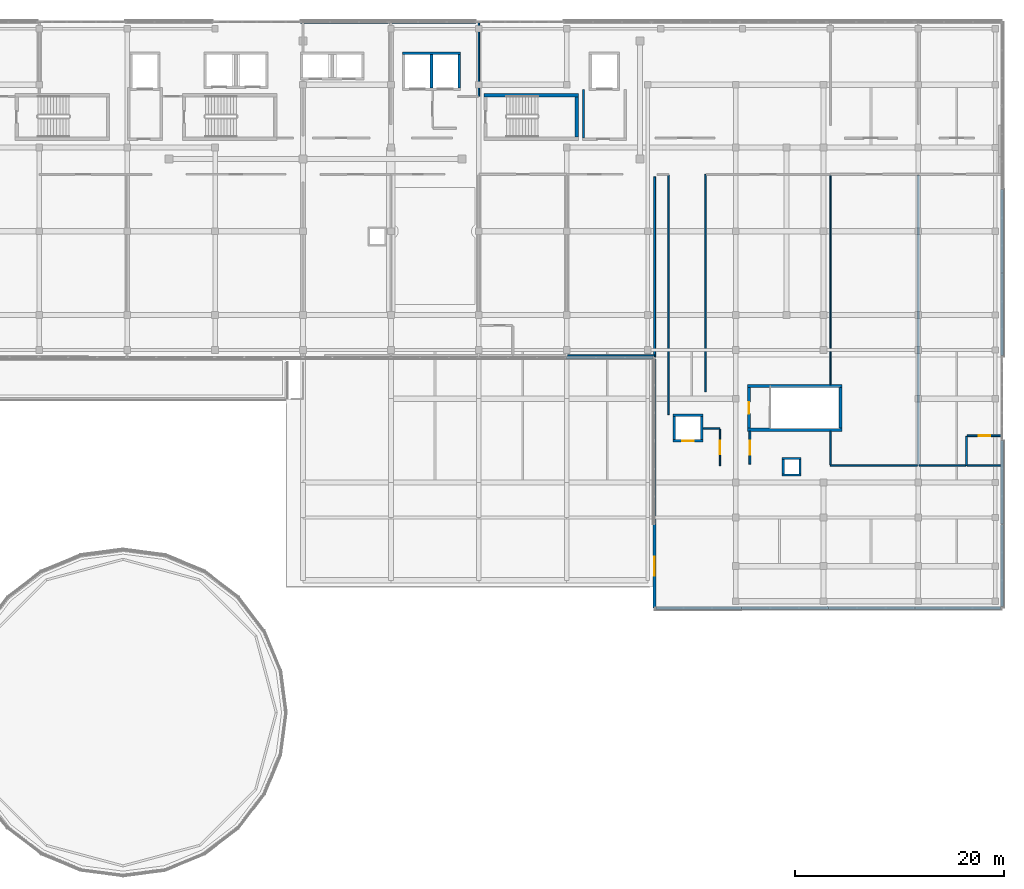
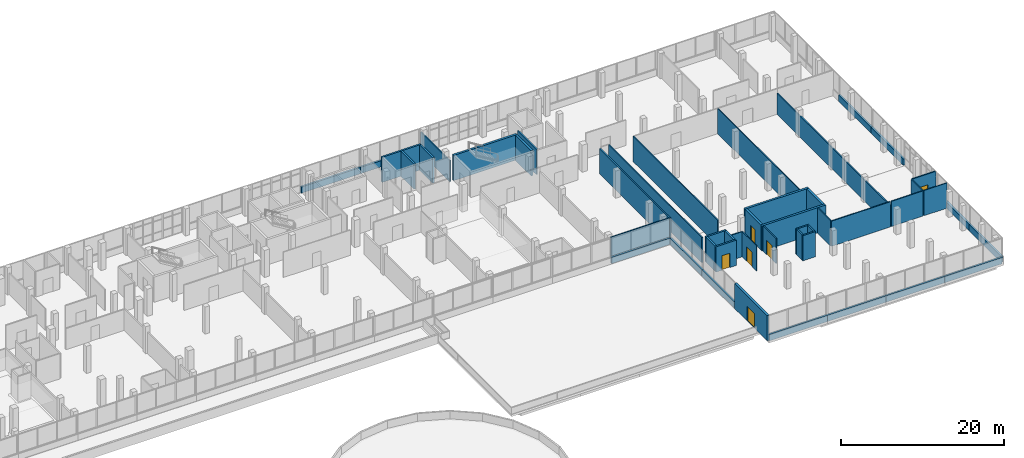
# One storey, part 70 of 78: 48 walls, 6 doors, 6 openings.
"""IFC4 building model written with IfcOpenShell, lengths in metres."""

from ifc_helpers import new_model, si_unit, direction, frame, frame_2d, origin, place, context, subcontext, project, spatial, rectangle, extrude, material, layer, layer_set, type_object, element, fill, save


model = new_model("IFC4")

# Units and contexts
model_context = context("Model", 3, precision=1e-05, world=origin(), true_north=direction((0.0, 1.0)))
body_context = subcontext(model_context, "Body", "Model", "MODEL_VIEW")
ifc_project = project(units=[si_unit("LENGTHUNIT", "METRE"), si_unit("AREAUNIT", "SQUARE_METRE"), si_unit("VOLUMEUNIT", "CUBIC_METRE"), si_unit("PLANEANGLEUNIT", "RADIAN"), si_unit("MASSUNIT", "GRAM", prefix="KILO")], contexts=[model_context])

# Site, building, storey
site_placement = place(None, origin())
site = spatial("IfcSite", under=ifc_project, at=site_placement, CompositionType="ELEMENT")
building_placement = place(site_placement, origin())
building = spatial("IfcBuilding", under=site, at=building_placement, Name="Selatvlak General Hospital", CompositionType="ELEMENT")
storey_placement = place(building_placement, frame((0.0, 0.0, 23.25)))
storey = spatial("IfcBuildingStorey", under=building, at=storey_placement, Name="L05", CompositionType="ELEMENT", Elevation=23.25)

# Wall, opening, door
ifc_material_1 = material(Name="Precast concrete C40/50 - white fair-faced", Category="concrete")
ifc_layer_1 = layer(ifc_material_1, 0.300048828125, Name="Precast concrete C40/50 - white fair-faced", Category="concrete")
ifc_layer_set_1 = layer_set([ifc_layer_1], Name="Precast concrete C40/50 - white fair-faced")
wall_type_1 = type_object("IfcWallType", Name="WALL-EW-01", PredefinedType="SOLIDWALL", material=ifc_layer_set_1)
wall_1_placement = place(storey_placement, frame((148.801025390625, 64.0, 0.0), z_axis=(0.0, 0.0, 1.0), x_axis=(0.0, 1.0, 0.0)))
wall_1 = element("IfcWall", 1, at=wall_1_placement, inside=storey, type_object=wall_type_1, Name="L05 exterior wall 0505", PredefinedType="SOLIDWALL", context=body_context, shape_type="SweptSolid", body=[
    extrude(rectangle(XDim=7.97998046875, YDim=0.300048828125, at=frame_2d((3.989990234375, 0.0))), origin(), (0.0, 0.0, 1.0), 3.77490234375),
])
opening_1_placement = place(wall_1_placement, frame((3.090087890625, 0.0, 0.0)))
opening_1 = element("IfcOpeningElement", 2, at=opening_1_placement, cuts=wall_1, Name="Opening DE-04", PredefinedType="OPENING", context=body_context, shape_type="SweptSolid", body=[
    extrude(rectangle(XDim=1.800048828125, YDim=2.199951171875, at=frame_2d((0.89990234375, 1.10009765625))), frame((0.0, 0.159912109375, 0.0), z_axis=(0.0, -1.0, 0.0), x_axis=(1.0, 0.0, 0.0)), (0.0, 0.0, 1.0), 0.320068359375),
])
ifc_material_2 = material(Name="Anodised aluminium terrace double door", Category="aluminium")
door_type_1 = type_object("IfcDoorType", Name="DOOR-DE-04", OperationType="DOUBLE_DOOR_SINGLE_SWING", PredefinedType="DOOR", material=ifc_material_2)
door_1_placement = place(opening_1_placement, origin())
door_1 = element("IfcDoor", 3, at=door_1_placement, inside=storey, type_object=door_type_1, Name="L05 healing roof terrace door 031", OperationType="DOUBLE_DOOR_SINGLE_SWING", OverallHeight=2.199951171875, OverallWidth=1.800048828125, PredefinedType="DOOR", context=body_context, shape_type="SweptSolid", body=[
    extrude(rectangle(XDim=1.800048828125, YDim=2.199951171875, at=frame_2d((0.89990234375, 1.10009765625))), frame((0.0, 0.02490234375, 0.0), z_axis=(0.0, -1.0, 0.0), x_axis=(1.0, 0.0, 0.0)), (0.0, 0.0, 1.0), 0.050048828125),
])
fill(opening_1, door_1)

# Walls
ifc_material_3 = material(Name="Precast concrete C40/50 - white Bauhaus spandrel", Category="concrete")
ifc_layer_2 = layer(ifc_material_3, 0.280029296875, Name="Precast concrete C40/50 - white Bauhaus spandrel", Category="concrete")
ifc_layer_set_2 = layer_set([ifc_layer_2], Name="Precast concrete C40/50 - white Bauhaus spandrel")
wall_type_2 = type_object("IfcWallType", Name="WALL-EW-02", PredefinedType="SOLIDWALL", material=ifc_layer_set_2)
for number, where, z_axis, x_axis, name in (
    (4, (114.969970703125, 120.0, 0.0), (0.0, 0.0, 1.0), (1.0, 0.0, 0.0), "L05 Bauhaus spandrel sill wall 0488"),
    (5, (123.34912109375, 120.0, 0.0), (0.0, 0.0, 1.0), (1.0, 0.0, 0.0), "L05 Bauhaus spandrel sill wall 0489"),
):
    element("IfcWall", number, at=place(storey_placement, frame(where, z_axis=z_axis, x_axis=x_axis)), inside=storey, type_object=wall_type_2, Name=name, PredefinedType="SOLIDWALL", context=body_context, shape_type="SweptSolid", body=[
        extrude(rectangle(XDim=8.375, YDim=0.280029296875, at=frame_2d((4.1875, 0.0))), origin(), (0.0, 0.0, 1.0), 0.93994140625),
    ])
wall_2_placement = place(storey_placement, frame((182.0, 103.9990234375, 0.0), z_axis=(0.0, 0.0, 1.0), x_axis=(0.0, -1.0, 0.0)))
element("IfcWall", 6, at=wall_2_placement, inside=storey, type_object=wall_type_2, Name="L05 Bauhaus spandrel sill wall 0497", PredefinedType="SOLIDWALL", context=body_context, shape_type="SweptSolid", body=[
    extrude(rectangle(XDim=7.99609375, YDim=0.280029296875, at=frame_2d((3.998046875, 0.0))), origin(), (0.0, 0.0, 1.0), 0.93994140625),
])
wall_3_placement = place(storey_placement, frame((182.0, 95.9990234375, 0.0), z_axis=(0.0, 0.0, 1.0), x_axis=(0.0, -1.0, 0.0)))
element("IfcWall", 7, at=wall_3_placement, inside=storey, type_object=wall_type_2, Name="L05 Bauhaus spandrel sill wall 0498", PredefinedType="SOLIDWALL", context=body_context, shape_type="SweptSolid", body=[
    extrude(rectangle(XDim=7.85791015625, YDim=0.280029296875, at=frame_2d((3.928955078125, 0.0))), origin(), (0.0, 0.0, 1.0), 0.93994140625),
])
wall_4_placement = place(storey_placement, frame((182.0, 79.9990234375, 0.0), z_axis=(0.0, 0.0, 1.0), x_axis=(0.0, -1.0, 0.0)))
element("IfcWall", 8, at=wall_4_placement, inside=storey, type_object=wall_type_2, Name="L05 Bauhaus spandrel sill wall 0499", PredefinedType="SOLIDWALL", context=body_context, shape_type="SweptSolid", body=[
    extrude(rectangle(XDim=7.99609375, YDim=0.280029296875, at=frame_2d((3.998046875, 0.0))), origin(), (0.0, 0.0, 1.0), 0.93994140625),
])
wall_5_placement = place(storey_placement, frame((182.0, 71.9990234375, 0.0), z_axis=(0.0, 0.0, 1.0), x_axis=(0.0, -1.0, 0.0)))
element("IfcWall", 9, at=wall_5_placement, inside=storey, type_object=wall_type_2, Name="L05 Bauhaus spandrel sill wall 0500", PredefinedType="SOLIDWALL", context=body_context, shape_type="SweptSolid", body=[
    extrude(rectangle(XDim=7.85791015625, YDim=0.280029296875, at=frame_2d((3.928955078125, 0.0))), origin(), (0.0, 0.0, 1.0), 0.93994140625),
])
wall_6_placement = place(storey_placement, frame((181.860107421875, 64.0009765625, 0.0), z_axis=(0.0, 0.0, 1.0), x_axis=(-1.0, 0.0, 0.0)))
element("IfcWall", 10, at=wall_6_placement, inside=storey, type_object=wall_type_2, Name="L05 Bauhaus spandrel sill wall 0501", PredefinedType="SOLIDWALL", context=body_context, shape_type="SweptSolid", body=[
    extrude(rectangle(XDim=8.158203125, YDim=0.280029296875, at=frame_2d((4.0791015625, 0.0))), origin(), (0.0, 0.0, 1.0), 0.93994140625),
])
wall_7_placement = place(storey_placement, frame((173.697998046875, 64.0009765625, 0.0), z_axis=(0.0, 0.0, 1.0), x_axis=(-1.0, 0.0, 0.0)))
element("IfcWall", 11, at=wall_7_placement, inside=storey, type_object=wall_type_2, Name="L05 Bauhaus spandrel sill wall 0502", PredefinedType="SOLIDWALL", context=body_context, shape_type="SweptSolid", body=[
    extrude(rectangle(XDim=8.2958984375, YDim=0.280029296875, at=frame_2d((4.14794921875, 0.0))), origin(), (0.0, 0.0, 1.0), 0.93994140625),
])
wall_8_placement = place(storey_placement, frame((165.39794921875, 64.0009765625, 0.0), z_axis=(0.0, 0.0, 1.0), x_axis=(-0.99999999307, -0.000117730162, 0.0)))
element("IfcWall", 12, at=wall_8_placement, inside=storey, type_object=wall_type_2, Name="L05 Bauhaus spandrel sill wall 0503", PredefinedType="SOLIDWALL", context=body_context, shape_type="SweptSolid", body=[
    extrude(rectangle(XDim=8.294921875, YDim=0.280029296875, at=frame_2d((4.1474609375, 0.0))), origin(), (0.0, 0.0, 1.0), 0.93994140625),
])
wall_9_placement = place(storey_placement, frame((157.09912109375, 64.0, 0.0), z_axis=(0.0, 0.0, 1.0), x_axis=(-1.0, 0.0, 0.0)))
element("IfcWall", 13, at=wall_9_placement, inside=storey, type_object=wall_type_2, Name="L05 Bauhaus spandrel sill wall 0504", PredefinedType="SOLIDWALL", context=body_context, shape_type="SweptSolid", body=[
    extrude(rectangle(XDim=8.158203125, YDim=0.280029296875, at=frame_2d((4.0791015625, 0.0))), origin(), (0.0, 0.0, 1.0), 0.93994140625),
])
wall_10_placement = place(storey_placement, frame((148.801025390625, 71.98193359375, 0.0), z_axis=(0.0, 0.0, 1.0), x_axis=(-0.000122436485, 0.999999992505, 0.0)))
element("IfcWall", 14, at=wall_10_placement, inside=storey, type_object=wall_type_2, Name="L05 Bauhaus spandrel sill wall 0506", PredefinedType="SOLIDWALL", context=body_context, shape_type="SweptSolid", body=[
    extrude(rectangle(XDim=7.97607421875, YDim=0.280029296875, at=frame_2d((3.988037109375, 0.0))), origin(), (0.0, 0.0, 1.0), 0.93994140625),
])
wall_11_placement = place(storey_placement, frame((148.800048828125, 79.9619140625, 0.0), z_axis=(0.0, 0.0, 1.0), x_axis=(0.0, 1.0, 0.0)))
element("IfcWall", 15, at=wall_11_placement, inside=storey, type_object=wall_type_2, Name="L05 Bauhaus spandrel sill wall 0507", PredefinedType="SOLIDWALL", context=body_context, shape_type="SweptSolid", body=[
    extrude(rectangle(XDim=7.838134765625, YDim=0.280029296875, at=frame_2d((3.9189453125, 0.0))), origin(), (0.0, 0.0, 1.0), 0.93994140625),
])
wall_12_placement = place(storey_placement, frame((148.659912109375, 87.93994140625, 0.0), z_axis=(0.0, 0.0, 1.0), x_axis=(-0.999999873696, 0.000502601639, 0.0)))
element("IfcWall", 16, at=wall_12_placement, inside=storey, type_object=wall_type_2, Name="L05 Bauhaus spandrel sill wall 0508", PredefinedType="SOLIDWALL", context=body_context, shape_type="SweptSolid", body=[
    extrude(rectangle(XDim=8.2578125, YDim=0.280029296875, at=frame_2d((4.12890625, 0.0))), origin(), (0.0, 0.0, 1.0), 0.93994140625),
])
ifc_material_4 = material(Name="Concrete C40/50", Category="concrete")
ifc_layer_3 = layer(ifc_material_4, 0.199951171875, Name="Concrete C40/50", Category="concrete")
ifc_layer_set_3 = layer_set([ifc_layer_3], Name="Concrete C40/50")
wall_type_3 = type_object("IfcWallType", Name="WALL-IW-02", PredefinedType="SOLIDWALL", material=ifc_layer_set_3)
wall_13_placement = place(storey_placement, frame((142.0, 113.550048828125, 0.0), z_axis=(0.0, 0.0, 1.0), x_axis=(0.0, -1.0, 0.0)))
element("IfcWall", 17, at=wall_13_placement, inside=storey, type_object=wall_type_3, Name="Firefighting lobby C4 wall L05 W", PredefinedType="SOLIDWALL", context=body_context, shape_type="SweptSolid", body=[
    extrude(rectangle(XDim=4.650146484375, YDim=0.199951171875, at=frame_2d((2.3251953125, 0.0))), origin(), (0.0, 0.0, 1.0), 3.77490234375),
])
wall_14_placement = place(storey_placement, frame((161.0, 76.699951171875, 0.0), z_axis=(0.0, 0.0, 1.0), x_axis=(1.0, 0.0, 0.0)))
element("IfcWall", 18, at=wall_14_placement, inside=storey, type_object=wall_type_3, Name="Service riser 4 shaft wall L05 S", PredefinedType="SOLIDWALL", context=body_context, shape_type="SweptSolid", body=[
    extrude(rectangle(XDim=1.800048828125, YDim=0.199951171875, at=frame_2d((0.89990234375, 0.0))), origin(), (0.0, 0.0, 1.0), 3.77490234375),
])
wall_15_placement = place(storey_placement, frame((162.699951171875, 76.800048828125, 0.0), z_axis=(0.0, 0.0, 1.0), x_axis=(0.0, 1.0, 0.0)))
element("IfcWall", 19, at=wall_15_placement, inside=storey, type_object=wall_type_3, Name="Service riser 4 shaft wall L05 E", PredefinedType="SOLIDWALL", context=body_context, shape_type="SweptSolid", body=[
    extrude(rectangle(XDim=1.39990234375, YDim=0.199951171875, at=frame_2d((0.699951171875, 0.0))), origin(), (0.0, 0.0, 1.0), 3.77490234375),
])
wall_16_placement = place(storey_placement, frame((162.800048828125, 78.300048828125, 0.0), z_axis=(0.0, 0.0, 1.0), x_axis=(-1.0, 0.0, 0.0)))
element("IfcWall", 20, at=wall_16_placement, inside=storey, type_object=wall_type_3, Name="Service riser 4 shaft wall L05 N", PredefinedType="SOLIDWALL", context=body_context, shape_type="SweptSolid", body=[
    extrude(rectangle(XDim=1.800048828125, YDim=0.199951171875, at=frame_2d((0.89990234375, 0.0))), origin(), (0.0, 0.0, 1.0), 3.77490234375),
])
wall_17_placement = place(storey_placement, frame((161.10009765625, 78.199951171875, 0.0), z_axis=(0.0, 0.0, 1.0), x_axis=(0.0, -1.0, 0.0)))
element("IfcWall", 21, at=wall_17_placement, inside=storey, type_object=wall_type_3, Name="Service riser 4 shaft wall L05 W", PredefinedType="SOLIDWALL", context=body_context, shape_type="SweptSolid", body=[
    extrude(rectangle(XDim=1.39990234375, YDim=0.199951171875, at=frame_2d((0.699951171875, 0.0))), origin(), (0.0, 0.0, 1.0), 3.77490234375),
])
ifc_material_5 = material(Name="Acoustic gypsum stud partition")
ifc_layer_4 = layer(ifc_material_5, 0.179931640625, Name="Acoustic gypsum stud partition")
ifc_layer_set_4 = layer_set([ifc_layer_4], Name="Acoustic gypsum stud partition")
wall_type_4 = type_object("IfcWallType", Name="WALL-PT-01", PredefinedType="PARTITIONING", material=ifc_layer_set_4)
wall_18_placement = place(storey_placement, frame((148.800048828125, 105.18994140625, 0.0), z_axis=(0.0, 0.0, 1.0), x_axis=(0.0, -1.0, 0.0)))
element("IfcWall", 22, at=wall_18_placement, inside=storey, type_object=wall_type_4, Name="L05 clinical partition PT-L05-1895", PredefinedType="PARTITIONING", context=body_context, shape_type="SweptSolid", body=[
    extrude(rectangle(XDim=17.2099609375, YDim=0.179931640625, at=frame_2d((8.60498046875, 0.0))), origin(), (0.0, 0.0, 1.0), 3.77490234375),
])

# Wall, opening, door
wall_19_placement = place(storey_placement, frame((157.909912109375, 77.739990234375, 0.0), z_axis=(0.0, 0.0, 1.0), x_axis=(0.0, 1.0, 0.0)))
wall_19 = element("IfcWall", 23, at=wall_19_placement, inside=storey, type_object=wall_type_4, Name="L05 clinical partition PT-L05-1900", PredefinedType="PARTITIONING", context=body_context, shape_type="SweptSolid", body=[
    extrude(rectangle(XDim=3.153076171875, YDim=0.179931640625, at=frame_2d((1.57666015625, 0.0))), origin(), (0.0, 0.0, 1.0), 3.77490234375),
])
opening_2_placement = place(wall_19_placement, frame((0.902099609375, 0.0, 0.0)))
opening_2 = element("IfcOpeningElement", 24, at=opening_2_placement, cuts=wall_19, Name="Opening D-10", PredefinedType="OPENING", context=body_context, shape_type="SweptSolid", body=[
    extrude(rectangle(XDim=1.35009765625, YDim=2.14990234375, at=frame_2d((0.675048828125, 1.074951171875))), frame((0.0, 0.099853515625, 0.0), z_axis=(0.0, -1.0, 0.0), x_axis=(1.0, 0.0, 0.0)), (0.0, 0.0, 1.0), 0.199951171875),
])
ifc_material_6 = material(Name="Single patient bed door")
door_type_2 = type_object("IfcDoorType", Name="DOOR-D-10", OperationType="NOTDEFINED", PredefinedType="DOOR", material=ifc_material_6)
door_2_placement = place(opening_2_placement, origin())
door_2 = element("IfcDoor", 25, at=door_2_placement, inside=storey, type_object=door_type_2, Name="L05 Ward Clinical Pharmacy Room 16 door", OperationType="SINGLE_SWING_RIGHT", OverallHeight=2.14990234375, OverallWidth=1.35009765625, PredefinedType="DOOR", context=body_context, shape_type="SweptSolid", body=[
    extrude(rectangle(XDim=1.35009765625, YDim=2.14990234375, at=frame_2d((0.675048828125, 1.074951171875))), frame((0.0, 0.02490234375, 0.0), z_axis=(0.0, -1.0, 0.0), x_axis=(1.0, 0.0, 0.0)), (0.0, 0.0, 1.0), 0.050048828125),
])
fill(opening_2, door_2)

wall_20_placement = place(storey_placement, frame((181.989013671875, 80.4599609375, 0.0), z_axis=(0.0, 0.0, 1.0), x_axis=(-1.0, 0.0, 0.0)))
wall_20 = element("IfcWall", 26, at=wall_20_placement, inside=storey, type_object=wall_type_4, Name="L05 clinical partition PT-L05-1908", PredefinedType="PARTITIONING", context=body_context, shape_type="SweptSolid", body=[
    extrude(rectangle(XDim=3.3291015625, YDim=0.179931640625, at=frame_2d((1.66455078125, 0.0))), origin(), (0.0, 0.0, 1.0), 3.77490234375),
])
opening_3_placement = place(wall_20_placement, frame((1.114990234375, 0.0, 0.0)))
opening_3 = element("IfcOpeningElement", 27, at=opening_3_placement, cuts=wall_20, Name="Opening D-22", PredefinedType="OPENING", context=body_context, shape_type="SweptSolid", body=[
    extrude(rectangle(XDim=1.10009765625, YDim=2.14990234375, at=frame_2d((0.550048828125, 1.074951171875))), frame((0.0, 0.099853515625, 0.0), z_axis=(0.0, -1.0, 0.0), x_axis=(1.0, 0.0, 0.0)), (0.0, 0.0, 1.0), 0.199951171875),
])
ifc_material_7 = material(Name="Pharmacy security fire door")
door_type_3 = type_object("IfcDoorType", Name="DOOR-D-22", OperationType="NOTDEFINED", PredefinedType="DOOR", material=ifc_material_7)
door_3_placement = place(opening_3_placement, origin())
door_3 = element("IfcDoor", 28, at=door_3_placement, inside=storey, type_object=door_type_3, Name="L05 Patient En-Suite WC 19 door", OperationType="SINGLE_SWING_RIGHT", OverallHeight=2.14990234375, OverallWidth=1.10009765625, PredefinedType="DOOR", context=body_context, shape_type="SweptSolid", body=[
    extrude(rectangle(XDim=1.10009765625, YDim=2.14990234375, at=frame_2d((0.550048828125, 1.074951171875))), frame((0.0, 0.02490234375, 0.0), z_axis=(0.0, -1.0, 0.0), x_axis=(1.0, 0.0, 0.0)), (0.0, 0.0, 1.0), 0.050048828125),
])
fill(opening_3, door_3)

# Walls
ifc_layer_5 = layer(ifc_material_5, 0.1650390625, Name="Acoustic gypsum stud partition")
ifc_layer_set_5 = layer_set([ifc_layer_5], Name="Acoustic gypsum stud partition")
wall_type_5 = type_object("IfcWallType", Name="WALL-PT-02", PredefinedType="PARTITIONING", material=ifc_layer_set_5)
wall_21_placement = place(storey_placement, frame((165.60009765625, 80.89306640625, 0.0), z_axis=(0.0, 0.0, 1.0), x_axis=(0.0, -1.0, 0.0)))
element("IfcWall", 29, at=wall_21_placement, inside=storey, type_object=wall_type_5, Name="L05 clinical partition PT-L05-1901", PredefinedType="PARTITIONING", context=body_context, shape_type="SweptSolid", body=[
    extrude(rectangle(XDim=3.215087890625, YDim=0.1650390625, at=frame_2d((1.607421875, 0.0))), origin(), (0.0, 0.0, 1.0), 3.77490234375),
])
wall_22_placement = place(storey_placement, frame((174.0, 105.35400390625, 0.0), z_axis=(0.0, 0.0, 1.0), x_axis=(0.0, -1.0, 0.0)))
element("IfcWall", 30, at=wall_22_placement, inside=storey, type_object=wall_type_5, Name="L05 clinical partition PT-L05-1906", PredefinedType="PARTITIONING", context=body_context, shape_type="SweptSolid", body=[
    extrude(rectangle(XDim=27.75390625, YDim=0.1650390625, at=frame_2d((13.876953125, 0.0))), origin(), (0.0, 0.0, 1.0), 3.162109375),
])
wall_23_placement = place(storey_placement, frame((178.60009765625, 80.39990234375, 0.0), z_axis=(0.0, 0.0, 1.0), x_axis=(0.0, -1.0, 0.0)))
element("IfcWall", 31, at=wall_23_placement, inside=storey, type_object=wall_type_5, Name="L05 clinical partition PT-L05-1909", PredefinedType="PARTITIONING", context=body_context, shape_type="SweptSolid", body=[
    extrude(rectangle(XDim=2.7998046875, YDim=0.1650390625, at=frame_2d((1.39990234375, 0.0))), origin(), (0.0, 0.0, 1.0), 3.77490234375),
])
ifc_layer_6 = layer(ifc_material_5, 0.14990234375, Name="Acoustic gypsum stud partition")
ifc_layer_set_6 = layer_set([ifc_layer_6], Name="Acoustic gypsum stud partition")
wall_type_6 = type_object("IfcWallType", Name="WALL-PT-03", PredefinedType="PARTITIONING", material=ifc_layer_set_6)
wall_24_placement = place(storey_placement, frame((150.139892578125, 105.361083984375, 0.0), z_axis=(0.0, 0.0, 1.0), x_axis=(0.0, -1.0, 0.0)))
element("IfcWall", 32, at=wall_24_placement, inside=storey, type_object=wall_type_6, Name="L05 clinical partition PT-L05-1897", PredefinedType="PARTITIONING", context=body_context, shape_type="SweptSolid", body=[
    extrude(rectangle(XDim=22.881103515625, YDim=0.14990234375, at=frame_2d((11.4404296875, 0.0))), origin(), (0.0, 0.0, 1.0), 3.77490234375),
])
wall_25_placement = place(storey_placement, frame((153.659912109375, 84.659912109375, 0.0), z_axis=(0.0, 0.0, 1.0), x_axis=(0.0, 1.0, 0.0)))
element("IfcWall", 33, at=wall_25_placement, inside=storey, type_object=wall_type_6, Name="L05 clinical partition PT-L05-1902", PredefinedType="PARTITIONING", context=body_context, shape_type="SweptSolid", body=[
    extrude(rectangle(XDim=20.780029296875, YDim=0.14990234375, at=frame_2d((10.39013671875, 0.0))), origin(), (0.0, 0.0, 1.0), 3.77490234375),
])
wall_26_placement = place(storey_placement, frame((173.922119140625, 77.60009765625, 0.0), z_axis=(0.0, 0.0, 1.0), x_axis=(-1.0, 0.0, 0.0)))
element("IfcWall", 34, at=wall_26_placement, inside=storey, type_object=wall_type_6, Name="L05 clinical partition PT-L05-1907", PredefinedType="PARTITIONING", context=body_context, shape_type="SweptSolid", body=[
    extrude(rectangle(XDim=8.322021484375, YDim=0.14990234375, at=frame_2d((4.1611328125, 0.0))), origin(), (0.0, 0.0, 1.0), 3.77490234375),
])
wall_27_placement = place(storey_placement, frame((132.0, 119.989013671875, 0.0), z_axis=(0.0, 0.0, 1.0), x_axis=(0.0, -1.0, 0.0)))
element("IfcWall", 35, at=wall_27_placement, inside=storey, type_object=wall_type_6, Name="L05 clinical partition PT-L05-1942", PredefinedType="PARTITIONING", context=body_context, shape_type="SweptSolid", body=[
    extrude(rectangle(XDim=7.089111328125, YDim=0.14990234375, at=frame_2d((3.54443359375, 0.0))), origin(), (0.0, 0.0, 1.0), 3.175048828125),
])
ifc_material_8 = material(Name="Moisture-resistant clinical partition")
ifc_layer_7 = layer(ifc_material_8, 0.135009765625, Name="Moisture-resistant clinical partition")
ifc_layer_set_7 = layer_set([ifc_layer_7], Name="Moisture-resistant clinical partition")
wall_type_7 = type_object("IfcWallType", Name="WALL-PT-04", PredefinedType="PARTITIONING", material=ifc_layer_set_7)
wall_28_placement = place(storey_placement, frame((148.77490234375, 88.139892578125, 0.0), z_axis=(0.0, 0.0, 1.0), x_axis=(-1.0, 0.0, 0.0)))
element("IfcWall", 36, at=wall_28_placement, inside=storey, type_object=wall_type_7, Name="L05 clinical partition PT-L05-1893", PredefinedType="PARTITIONING", context=body_context, shape_type="SweptSolid", body=[
    extrude(rectangle(XDim=8.296875, YDim=0.135009765625, at=frame_2d((4.1484375, 0.0))), origin(), (0.0, 0.0, 1.0), 3.77490234375),
])
wall_29_placement = place(storey_placement, frame((153.447021484375, 81.139892578125, 0.0), z_axis=(0.0, 0.0, 1.0), x_axis=(1.0, 0.0, 0.0)))
element("IfcWall", 37, at=wall_29_placement, inside=storey, type_object=wall_type_7, Name="L05 clinical partition PT-L05-1898", PredefinedType="PARTITIONING", context=body_context, shape_type="SweptSolid", body=[
    extrude(rectangle(XDim=1.593017578125, YDim=0.135009765625, at=frame_2d((0.79638671875, 0.0))), origin(), (0.0, 0.0, 1.0), 3.77490234375),
])
wall_30_placement = place(storey_placement, frame((178.52197265625, 77.60009765625, 0.0), z_axis=(0.0, 0.0, 1.0), x_axis=(-1.0, 0.0, 0.0)))
element("IfcWall", 38, at=wall_30_placement, inside=storey, type_object=wall_type_7, Name="L05 clinical partition PT-L05-1910", PredefinedType="PARTITIONING", context=body_context, shape_type="SweptSolid", body=[
    extrude(rectangle(XDim=4.444091796875, YDim=0.135009765625, at=frame_2d((2.22216796875, 0.0))), origin(), (0.0, 0.0, 1.0), 3.77490234375),
])
wall_31_placement = place(storey_placement, frame((181.9580078125, 77.60009765625, 0.0), z_axis=(0.0, 0.0, 1.0), x_axis=(-1.0, 0.0, 0.0)))
element("IfcWall", 39, at=wall_31_placement, inside=storey, type_object=wall_type_7, Name="L05 clinical partition PT-L05-1913", PredefinedType="PARTITIONING", context=body_context, shape_type="SweptSolid", body=[
    extrude(rectangle(XDim=3.280029296875, YDim=0.135009765625, at=frame_2d((1.64013671875, 0.0))), origin(), (0.0, 0.0, 1.0), 3.77490234375),
])

# Wall, opening, door
ifc_layer_8 = layer(ifc_material_8, 0.1201171875, Name="Moisture-resistant clinical partition")
ifc_layer_set_8 = layer_set([ifc_layer_8], Name="Moisture-resistant clinical partition")
wall_type_8 = type_object("IfcWallType", Name="WALL-PT-05", PredefinedType="PARTITIONING", material=ifc_layer_set_8)
wall_32_placement = place(storey_placement, frame((155.0400390625, 81.075927734375, 0.0), z_axis=(0.0, 0.0, 1.0), x_axis=(0.0, -1.0, 0.0)))
wall_32 = element("IfcWall", 40, at=wall_32_placement, inside=storey, type_object=wall_type_8, Name="L05 clinical partition PT-L05-1899", PredefinedType="PARTITIONING", context=body_context, shape_type="SweptSolid", body=[
    extrude(rectangle(XDim=3.46484375, YDim=0.1201171875, at=frame_2d((1.732421875, 0.0))), origin(), (0.0, 0.0, 1.0), 3.77490234375),
])
opening_4_placement = place(wall_32_placement, frame((1.08203125, 0.0, 0.0)))
opening_4 = element("IfcOpeningElement", 41, at=opening_4_placement, cuts=wall_32, Name="Opening D-24", PredefinedType="OPENING", context=body_context, shape_type="SweptSolid", body=[
    extrude(rectangle(XDim=1.300048828125, YDim=2.14990234375, at=frame_2d((0.64990234375, 1.074951171875))), frame((0.0, 0.070068359375, 0.0), z_axis=(0.0, -1.0, 0.0), x_axis=(1.0, 0.0, 0.0)), (0.0, 0.0, 1.0), 0.14013671875),
])
ifc_material_9 = material(Name="Oncology bay door")
door_type_4 = type_object("IfcDoorType", Name="DOOR-D-24", OperationType="NOTDEFINED", PredefinedType="DOOR", material=ifc_material_9)
door_4_placement = place(opening_4_placement, origin())
door_4 = element("IfcDoor", 42, at=door_4_placement, inside=storey, type_object=door_type_4, Name="L05 Surgical Step-Down Ward Bay 15 door", OperationType="SINGLE_SWING_LEFT", OverallHeight=2.14990234375, OverallWidth=1.300048828125, PredefinedType="DOOR", context=body_context, shape_type="SweptSolid", body=[
    extrude(rectangle(XDim=1.300048828125, YDim=2.14990234375, at=frame_2d((0.64990234375, 1.074951171875))), frame((0.0, 0.02490234375, 0.0), z_axis=(0.0, -1.0, 0.0), x_axis=(1.0, 0.0, 0.0)), (0.0, 0.0, 1.0), 0.050048828125),
])
fill(opening_4, door_4)

# Walls
wall_33_placement = place(storey_placement, frame((165.60009765625, 105.3759765625, 0.0), z_axis=(0.0, 0.0, 1.0), x_axis=(0.0, -1.0, 0.0)))
element("IfcWall", 43, at=wall_33_placement, inside=storey, type_object=wall_type_8, Name="L05 clinical partition PT-L05-1904", PredefinedType="PARTITIONING", context=body_context, shape_type="SweptSolid", body=[
    extrude(rectangle(XDim=20.029052734375, YDim=0.1201171875, at=frame_2d((10.0146484375, 0.0))), origin(), (0.0, 0.0, 1.0), 3.77490234375),
])
ifc_material_10 = material(Name="Concrete C45/55", Category="concrete")
ifc_layer_9 = layer(ifc_material_10, 0.300048828125, Name="Concrete C45/55", Category="concrete")
ifc_layer_set_9 = layer_set([ifc_layer_9], Name="Concrete C45/55")
wall_type_9 = type_object("IfcWallType", Name="WALL-SW-02", PredefinedType="SHEAR", material=ifc_layer_set_9)
wall_34_placement = place(storey_placement, frame((141.360107421875, 108.989990234375, 0.0), z_axis=(0.0, 0.0, 1.0), x_axis=(0.0, 1.0, 0.0)))
element("IfcWall", 44, at=wall_34_placement, inside=storey, type_object=wall_type_9, Name="ST-04 core shear wall L05 E", PredefinedType="SHEAR", context=body_context, shape_type="SweptSolid", body=[
    extrude(rectangle(XDim=3.860107421875, YDim=0.300048828125, at=frame_2d((1.93017578125, 0.0))), origin(), (0.0, 0.0, 1.0), 3.77490234375),
])
for number, where, z_axis, x_axis, name in (
    (45, (141.510009765625, 113.0, 0.0), (0.0, 0.0, 1.0), (-1.0, 0.0, 0.0), "ST-04 core shear wall L05 N"),
    (46, (157.68994140625, 81.0400390625, 0.0), (0.0, 0.0, 1.0), (1.0, 0.0, 0.0), "ST-06 core shear wall L05 S"),
):
    element("IfcWall", number, at=place(storey_placement, frame(where, z_axis=z_axis, x_axis=x_axis)), inside=storey, type_object=wall_type_9, Name=name, PredefinedType="SHEAR", context=body_context, shape_type="SweptSolid", body=[
        extrude(rectangle(XDim=9.02001953125, YDim=0.300048828125, at=frame_2d((4.510009765625, 0.0))), origin(), (0.0, 0.0, 1.0), 3.77490234375),
    ])
wall_35_placement = place(storey_placement, frame((166.56005859375, 81.18994140625, 0.0), z_axis=(0.0, 0.0, 1.0), x_axis=(0.0, 1.0, 0.0)))
element("IfcWall", 47, at=wall_35_placement, inside=storey, type_object=wall_type_9, Name="ST-06 core shear wall L05 E", PredefinedType="SHEAR", context=body_context, shape_type="SweptSolid", body=[
    extrude(rectangle(XDim=3.860107421875, YDim=0.300048828125, at=frame_2d((1.93017578125, 0.0))), origin(), (0.0, 0.0, 1.0), 3.77490234375),
])
wall_36_placement = place(storey_placement, frame((166.7099609375, 85.199951171875, 0.0), z_axis=(0.0, 0.0, 1.0), x_axis=(-1.0, 0.0, 0.0)))
element("IfcWall", 48, at=wall_36_placement, inside=storey, type_object=wall_type_9, Name="ST-06 core shear wall L05 N", PredefinedType="SHEAR", context=body_context, shape_type="SweptSolid", body=[
    extrude(rectangle(XDim=9.02001953125, YDim=0.300048828125, at=frame_2d((4.510009765625, 0.0))), origin(), (0.0, 0.0, 1.0), 3.77490234375),
])

# Wall, opening, door
wall_37_placement = place(storey_placement, frame((157.840087890625, 85.050048828125, 0.0), z_axis=(0.0, 0.0, 1.0), x_axis=(0.0, -1.0, 0.0)))
wall_37 = element("IfcWall", 49, at=wall_37_placement, inside=storey, type_object=wall_type_9, Name="ST-06 core shear wall L05 W", PredefinedType="SHEAR", context=body_context, shape_type="SweptSolid", body=[
    extrude(rectangle(XDim=3.860107421875, YDim=0.300048828125, at=frame_2d((1.93017578125, 0.0))), origin(), (0.0, 0.0, 1.0), 3.77490234375),
])
opening_5_placement = place(wall_37_placement, frame((1.3798828125, 0.0, 0.0)))
opening_5 = element("IfcOpeningElement", 50, at=opening_5_placement, cuts=wall_37, Name="Opening D-05", PredefinedType="OPENING", context=body_context, shape_type="SweptSolid", body=[
    extrude(rectangle(XDim=1.10009765625, YDim=2.14990234375, at=frame_2d((0.550048828125, 1.074951171875))), frame((0.0, 0.159912109375, 0.0), z_axis=(0.0, -1.0, 0.0), x_axis=(1.0, 0.0, 0.0)), (0.0, 0.0, 1.0), 0.320068359375),
])
ifc_material_11 = material(Name="Protected stair fire door")
door_type_5 = type_object("IfcDoorType", Name="DOOR-D-05", OperationType="NOTDEFINED", PredefinedType="DOOR", material=ifc_material_11)
door_5_placement = place(opening_5_placement, origin())
door_5 = element("IfcDoor", 51, at=door_5_placement, inside=storey, type_object=door_type_5, Name="ST-06 protected stair door on L05", OperationType="SINGLE_SWING_LEFT", OverallHeight=2.14990234375, OverallWidth=1.10009765625, PredefinedType="DOOR", context=body_context, shape_type="SweptSolid", body=[
    extrude(rectangle(XDim=1.10009765625, YDim=2.14990234375, at=frame_2d((0.550048828125, 1.074951171875))), frame((0.0, 0.02490234375, 0.0), z_axis=(0.0, -1.0, 0.0), x_axis=(1.0, 0.0, 0.0)), (0.0, 0.0, 1.0), 0.050048828125),
])
fill(opening_5, door_5)

ifc_layer_10 = layer(ifc_material_4, 0.25, Name="Concrete C40/50", Category="concrete")
ifc_layer_set_10 = layer_set([ifc_layer_10], Name="Concrete C40/50")
wall_type_10 = type_object("IfcWallType", Name="WALL-SW-03", PredefinedType="SHEAR", material=ifc_layer_set_10)
wall_38_placement = place(storey_placement, frame((150.550048828125, 79.97509765625, 0.0), z_axis=(0.0, 0.0, 1.0), x_axis=(1.0, 0.0, 0.0)))
wall_38 = element("IfcWall", 52, at=wall_38_placement, inside=storey, type_object=wall_type_10, Name="Lift LP-04 shaft wall L05 S", PredefinedType="SHEAR", context=body_context, shape_type="SweptSolid", body=[
    extrude(rectangle(XDim=2.89990234375, YDim=0.25, at=frame_2d((1.449951171875, 0.0))), origin(), (0.0, 0.0, 1.0), 3.77490234375),
])
opening_6_placement = place(wall_38_placement, frame((0.89990234375, 0.0, 0.0)))
opening_6 = element("IfcOpeningElement", 53, at=opening_6_placement, cuts=wall_38, Name="Opening LD-P1", PredefinedType="OPENING", context=body_context, shape_type="SweptSolid", body=[
    extrude(rectangle(XDim=1.10009765625, YDim=2.14990234375, at=frame_2d((0.550048828125, 1.074951171875))), frame((0.0, 0.135009765625, 0.0), z_axis=(0.0, -1.0, 0.0), x_axis=(1.0, 0.0, 0.0)), (0.0, 0.0, 1.0), 0.27001953125),
])
ifc_material_12 = material(Name="Stainless steel passenger lift landing door", Category="steel")
door_type_6 = type_object("IfcDoorType", Name="DOOR-LD-P1", OperationType="DOUBLE_DOOR_SLIDING", PredefinedType="DOOR", material=ifc_material_12)
door_6_placement = place(opening_6_placement, origin())
door_6 = element("IfcDoor", 54, at=door_6_placement, inside=storey, type_object=door_type_6, Name="Lift LP-04 sliding landing door on L05", OperationType="DOUBLE_DOOR_SLIDING", OverallHeight=2.14990234375, OverallWidth=1.10009765625, PredefinedType="DOOR", context=body_context, shape_type="SweptSolid", body=[
    extrude(rectangle(XDim=1.10009765625, YDim=2.14990234375, at=frame_2d((0.550048828125, 1.074951171875))), frame((0.0, 0.02490234375, 0.0), z_axis=(0.0, -1.0, 0.0), x_axis=(1.0, 0.0, 0.0)), (0.0, 0.0, 1.0), 0.050048828125),
])
fill(opening_6, door_6)

# Walls
wall_39_placement = place(storey_placement, frame((153.324951171875, 80.10009765625, 0.0), z_axis=(0.0, 0.0, 1.0), x_axis=(0.0, 1.0, 0.0)))
element("IfcWall", 55, at=wall_39_placement, inside=storey, type_object=wall_type_10, Name="Lift LP-04 shaft wall L05 E", PredefinedType="SHEAR", context=body_context, shape_type="SweptSolid", body=[
    extrude(rectangle(XDim=2.199951171875, YDim=0.25, at=frame_2d((1.10009765625, 0.0))), origin(), (0.0, 0.0, 1.0), 3.77490234375),
])
wall_40_placement = place(storey_placement, frame((153.449951171875, 82.425048828125, 0.0), z_axis=(0.0, 0.0, 1.0), x_axis=(-1.0, 0.0, 0.0)))
element("IfcWall", 56, at=wall_40_placement, inside=storey, type_object=wall_type_10, Name="Lift LP-04 shaft wall L05 N", PredefinedType="SHEAR", context=body_context, shape_type="SweptSolid", body=[
    extrude(rectangle(XDim=2.89990234375, YDim=0.25, at=frame_2d((1.449951171875, 0.0))), origin(), (0.0, 0.0, 1.0), 3.77490234375),
])
wall_41_placement = place(storey_placement, frame((150.675048828125, 82.300048828125, 0.0), z_axis=(0.0, 0.0, 1.0), x_axis=(0.0, -1.0, 0.0)))
element("IfcWall", 57, at=wall_41_placement, inside=storey, type_object=wall_type_10, Name="Lift LP-04 shaft wall L05 W", PredefinedType="SHEAR", context=body_context, shape_type="SweptSolid", body=[
    extrude(rectangle(XDim=2.199951171875, YDim=0.25, at=frame_2d((1.10009765625, 0.0))), origin(), (0.0, 0.0, 1.0), 3.77490234375),
])
wall_42_placement = place(storey_placement, frame((130.125, 113.699951171875, 0.0), z_axis=(0.0, 0.0, 1.0), x_axis=(0.0, 1.0, 0.0)))
element("IfcWall", 58, at=wall_42_placement, inside=storey, type_object=wall_type_10, Name="Lift LB-03-LB-04 shaft wall L05 E", PredefinedType="SHEAR", context=body_context, shape_type="SweptSolid", body=[
    extrude(rectangle(XDim=3.199951171875, YDim=0.25, at=frame_2d((1.60009765625, 0.0))), origin(), (0.0, 0.0, 1.0), 3.77490234375),
])
wall_43_placement = place(storey_placement, frame((130.25, 117.02490234375, 0.0), z_axis=(0.0, 0.0, 1.0), x_axis=(-1.0, 0.0, 0.0)))
element("IfcWall", 59, at=wall_43_placement, inside=storey, type_object=wall_type_10, Name="Lift LB-03-LB-04 shaft wall L05 N", PredefinedType="SHEAR", context=body_context, shape_type="SweptSolid", body=[
    extrude(rectangle(XDim=5.550048828125, YDim=0.25, at=frame_2d((2.77490234375, 0.0))), origin(), (0.0, 0.0, 1.0), 3.77490234375),
])
wall_44_placement = place(storey_placement, frame((127.47509765625, 113.699951171875, 0.0), z_axis=(0.0, 0.0, 1.0), x_axis=(0.0, 1.0, 0.0)))
element("IfcWall", 60, at=wall_44_placement, inside=storey, type_object=wall_type_10, Name="Lift LB-03-LB-04 dividing shaft wall L05", PredefinedType="SHEAR", context=body_context, shape_type="SweptSolid", body=[
    extrude(rectangle(XDim=3.199951171875, YDim=0.25, at=frame_2d((1.60009765625, 0.0))), origin(), (0.0, 0.0, 1.0), 3.77490234375),
])

save(model, "model.ifc")
